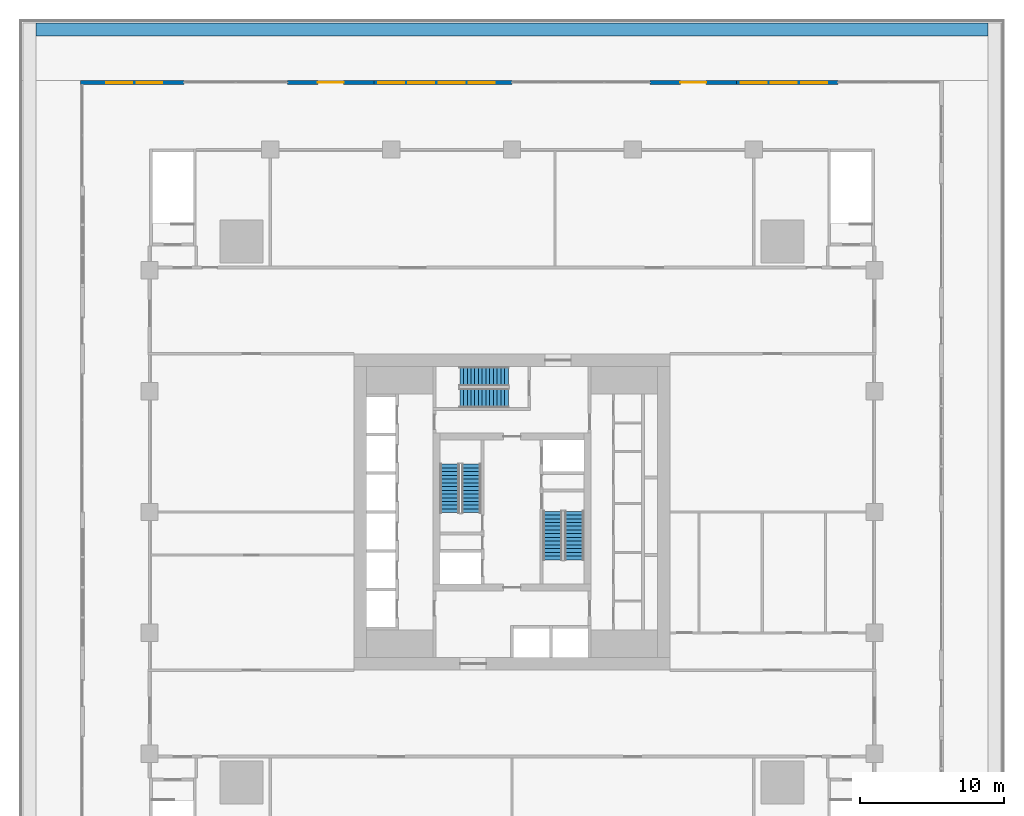
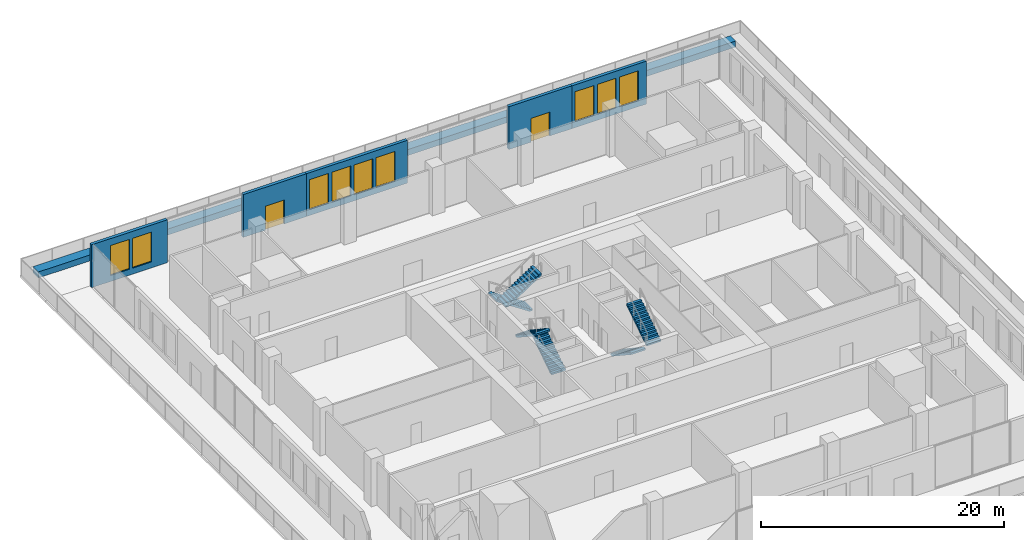
# One storey, part 17 of 22: 9 windows, 6 stair flights, 6 walls, 2 doors, 11 openings, 3 elements without a shape of their own.
"""IFC4 building model written with IfcOpenShell, lengths in metres."""

from ifc_helpers import new_model, si_unit, direction, frame, frame_2d, origin, place, context, subcontext, project, spatial, polyline, rectangle, outline, extrude, material, layer, layer_set, type_object, element, fill, aggregate, save


model = new_model("IFC4")

# Units and contexts
model_context = context("Model", 3, precision=1e-05, world=origin(), true_north=direction((0.0, 1.0)))
body_context = subcontext(model_context, "Body", "Model", "MODEL_VIEW")
ifc_project = project(units=[si_unit("LENGTHUNIT", "METRE"), si_unit("AREAUNIT", "SQUARE_METRE"), si_unit("VOLUMEUNIT", "CUBIC_METRE"), si_unit("PLANEANGLEUNIT", "RADIAN"), si_unit("MASSUNIT", "GRAM", prefix="KILO")], contexts=[model_context])

# Site, building, storey
site_placement = place(None, origin())
site = spatial("IfcSite", under=ifc_project, at=site_placement, CompositionType="ELEMENT")
building_placement = place(site_placement, origin())
building = spatial("IfcBuilding", under=site, at=building_placement, Name="Khepri Terraces", CompositionType="ELEMENT")
storey_placement = place(building_placement, frame((0.0, 0.0, 22.199951171875)))
storey = spatial("IfcBuildingStorey", under=building, at=storey_placement, Name="L04", CompositionType="ELEMENT", Elevation=22.199951171875)

# Wall, openings, windows
ifc_material_1 = material(Name="Precast concrete C50/60 warm stone", Category="masonry")
ifc_layer_1 = layer(ifc_material_1, 0.300048828125, Name="Precast concrete C50/60 warm stone", Category="masonry")
ifc_layer_set_1 = layer_set([ifc_layer_1], Name="Precast concrete C50/60 warm stone")
wall_type_1 = type_object("IfcWallType", Name="WL-EXT-PRECAST-300", PredefinedType="STANDARD", material=ifc_layer_set_1)
wall_1_placement = place(storey_placement, frame((22.64990234375, 29.85009765625, 0.0), z_axis=(0.0, 0.0, 1.0), x_axis=(-1.0, 0.0, 0.0)))
wall_1 = element("IfcWall", 1, at=wall_1_placement, inside=storey, type_object=wall_type_1, Name="External wall L04 N", PredefinedType="STANDARD", context=body_context, shape_type="SweptSolid", body=[
    extrude(rectangle(XDim=7.0498046875, YDim=0.300048828125, at=frame_2d((3.52490234375, 0.0))), origin(), (0.0, 0.0, 1.0), 4.300048828125),
])
opening_1_placement = place(wall_1_placement, frame((0.75, 0.0, 0.60009765625)))
opening_1 = element("IfcOpeningElement", 2, at=opening_1_placement, cuts=wall_1, Name="Opening WP1", PredefinedType="OPENING", context=body_context, shape_type="SweptSolid", body=[
    extrude(rectangle(XDim=1.800048828125, YDim=3.0, at=frame_2d((0.89990234375, 1.5))), frame((0.0, 0.16015625, 0.0), z_axis=(0.0, -1.0, 0.0), x_axis=(1.0, 0.0, 0.0)), (0.0, 0.0, 1.0), 0.320068359375),
])
opening_2_placement = place(wall_1_placement, frame((2.85009765625, 0.0, 0.60009765625)))
opening_2 = element("IfcOpeningElement", 3, at=opening_2_placement, cuts=wall_1, Name="Opening WP1", PredefinedType="OPENING", context=body_context, shape_type="SweptSolid", body=[
    extrude(rectangle(XDim=1.800048828125, YDim=3.0, at=frame_2d((0.89990234375, 1.5))), frame((0.0, 0.16015625, 0.0), z_axis=(0.0, -1.0, 0.0), x_axis=(1.0, 0.0, 0.0)), (0.0, 0.0, 1.0), 0.320068359375),
])
opening_3_placement = place(wall_1_placement, frame((4.949951171875, 0.0, 0.60009765625)))
opening_3 = element("IfcOpeningElement", 4, at=opening_3_placement, cuts=wall_1, Name="Opening WP1", PredefinedType="OPENING", context=body_context, shape_type="SweptSolid", body=[
    extrude(rectangle(XDim=1.800048828125, YDim=3.0, at=frame_2d((0.89990234375, 1.5))), frame((0.0, 0.16015625, 0.0), z_axis=(0.0, -1.0, 0.0), x_axis=(1.0, 0.0, 0.0)), (0.0, 0.0, 1.0), 0.320068359375),
])
ifc_material_2 = material(Name="Clear glass", Category="glass")
window_type = type_object("IfcWindowType", Name="WIN-POD-1800x3000", PartitioningType="SINGLE_PANEL", PredefinedType="WINDOW", material=ifc_material_2)
window_1_placement = place(opening_1_placement, origin())
window_1 = element("IfcWindow", 5, at=window_1_placement, inside=storey, type_object=window_type, Name="Window L04 N", OverallHeight=3.0, OverallWidth=1.800048828125, PartitioningType="SINGLE_PANEL", PredefinedType="WINDOW", context=body_context, shape_type="SweptSolid", body=[
    extrude(rectangle(XDim=1.800048828125, YDim=3.0, at=frame_2d((0.89990234375, 1.5))), frame((0.0, 0.030029296875, 0.0), z_axis=(0.0, -1.0, 0.0), x_axis=(1.0, 0.0, 0.0)), (0.0, 0.0, 1.0), 0.06005859375),
])
fill(opening_1, window_1)
window_2_placement = place(opening_2_placement, origin())
window_2 = element("IfcWindow", 6, at=window_2_placement, inside=storey, type_object=window_type, Name="Window L04 N", OverallHeight=3.0, OverallWidth=1.800048828125, PartitioningType="SINGLE_PANEL", PredefinedType="WINDOW", context=body_context, shape_type="SweptSolid", body=[
    extrude(rectangle(XDim=1.800048828125, YDim=3.0, at=frame_2d((0.89990234375, 1.5))), frame((0.0, 0.030029296875, 0.0), z_axis=(0.0, -1.0, 0.0), x_axis=(1.0, 0.0, 0.0)), (0.0, 0.0, 1.0), 0.06005859375),
])
fill(opening_2, window_2)
window_3_placement = place(opening_3_placement, origin())
window_3 = element("IfcWindow", 7, at=window_3_placement, inside=storey, type_object=window_type, Name="Window L04 N", OverallHeight=3.0, OverallWidth=1.800048828125, PartitioningType="SINGLE_PANEL", PredefinedType="WINDOW", context=body_context, shape_type="SweptSolid", body=[
    extrude(rectangle(XDim=1.800048828125, YDim=3.0, at=frame_2d((0.89990234375, 1.5))), frame((0.0, 0.030029296875, 0.0), z_axis=(0.0, -1.0, 0.0), x_axis=(1.0, 0.0, 0.0)), (0.0, 0.0, 1.0), 0.06005859375),
])
fill(opening_3, window_3)

# Wall, opening, door
wall_2_placement = place(storey_placement, frame((15.60009765625, 29.85009765625, 0.0), z_axis=(0.0, 0.0, 1.0), x_axis=(-1.0, 0.0, 0.0)))
wall_2 = element("IfcWall", 8, at=wall_2_placement, inside=storey, type_object=wall_type_1, Name="External wall L04 N", PredefinedType="STANDARD", context=body_context, shape_type="SweptSolid", body=[
    extrude(rectangle(XDim=6.0, YDim=0.300048828125, at=frame_2d((3.0, 0.0))), origin(), (0.0, 0.0, 1.0), 4.300048828125),
])
opening_4_placement = place(wall_2_placement, frame((2.10009765625, 0.0, 0.0)))
opening_4 = element("IfcOpeningElement", 9, at=opening_4_placement, cuts=wall_2, Name="Opening ED-L04-05", PredefinedType="OPENING", context=body_context, shape_type="SweptSolid", body=[
    extrude(rectangle(XDim=1.800048828125, YDim=2.39990234375, at=frame_2d((0.89990234375, 1.199951171875))), frame((0.0, 0.16015625, 0.0), z_axis=(0.0, -1.0, 0.0), x_axis=(1.0, 0.0, 0.0)), (0.0, 0.0, 1.0), 0.320068359375),
])
ifc_material_3 = material(Name="Anodised aluminium bronze glazed door", Category="aluminium")
door_type = type_object("IfcDoorType", Name="DR-BAL-SLIDE-1800x2400", OperationType="NOTDEFINED", PredefinedType="DOOR", material=ifc_material_3)
door_1_placement = place(opening_4_placement, origin())
door_1 = element("IfcDoor", 10, at=door_1_placement, inside=storey, type_object=door_type, Name="Balcony door L04 N", OperationType="SLIDING_TO_RIGHT", OverallHeight=2.39990234375, OverallWidth=1.800048828125, PredefinedType="DOOR", context=body_context, shape_type="SweptSolid", body=[
    extrude(rectangle(XDim=1.800048828125, YDim=2.39990234375, at=frame_2d((0.89990234375, 1.199951171875))), frame((0.0, 0.02490234375, 0.0), z_axis=(0.0, -1.0, 0.0), x_axis=(1.0, 0.0, 0.0)), (0.0, 0.0, 1.0), 0.050048828125),
])
fill(opening_4, door_1)

# Wall, openings, windows
wall_3_placement = place(storey_placement, frame((0.0, 29.85009765625, 0.0), z_axis=(0.0, 0.0, 1.0), x_axis=(-1.0, 0.0, 0.0)))
wall_3 = element("IfcWall", 11, at=wall_3_placement, inside=storey, type_object=wall_type_1, Name="External wall L04 N", PredefinedType="STANDARD", context=body_context, shape_type="SweptSolid", body=[
    extrude(rectangle(XDim=9.60009765625, YDim=0.300048828125, at=frame_2d((4.800048828125, 0.0))), origin(), (0.0, 0.0, 1.0), 4.300048828125),
])
opening_5_placement = place(wall_3_placement, frame((1.199951171875, 0.0, 0.60009765625)))
opening_5 = element("IfcOpeningElement", 12, at=opening_5_placement, cuts=wall_3, Name="Opening WP1", PredefinedType="OPENING", context=body_context, shape_type="SweptSolid", body=[
    extrude(rectangle(XDim=1.800048828125, YDim=3.0, at=frame_2d((0.89990234375, 1.5))), frame((0.0, 0.16015625, 0.0), z_axis=(0.0, -1.0, 0.0), x_axis=(1.0, 0.0, 0.0)), (0.0, 0.0, 1.0), 0.320068359375),
])
opening_6_placement = place(wall_3_placement, frame((3.300048828125, 0.0, 0.60009765625)))
opening_6 = element("IfcOpeningElement", 13, at=opening_6_placement, cuts=wall_3, Name="Opening WP1", PredefinedType="OPENING", context=body_context, shape_type="SweptSolid", body=[
    extrude(rectangle(XDim=1.800048828125, YDim=3.0, at=frame_2d((0.89990234375, 1.5))), frame((0.0, 0.16015625, 0.0), z_axis=(0.0, -1.0, 0.0), x_axis=(1.0, 0.0, 0.0)), (0.0, 0.0, 1.0), 0.320068359375),
])
opening_7_placement = place(wall_3_placement, frame((5.39990234375, 0.0, 0.60009765625)))
opening_7 = element("IfcOpeningElement", 14, at=opening_7_placement, cuts=wall_3, Name="Opening WP1", PredefinedType="OPENING", context=body_context, shape_type="SweptSolid", body=[
    extrude(rectangle(XDim=1.800048828125, YDim=3.0, at=frame_2d((0.89990234375, 1.5))), frame((0.0, 0.16015625, 0.0), z_axis=(0.0, -1.0, 0.0), x_axis=(1.0, 0.0, 0.0)), (0.0, 0.0, 1.0), 0.320068359375),
])
opening_8_placement = place(wall_3_placement, frame((7.5, 0.0, 0.60009765625)))
opening_8 = element("IfcOpeningElement", 15, at=opening_8_placement, cuts=wall_3, Name="Opening WP1", PredefinedType="OPENING", context=body_context, shape_type="SweptSolid", body=[
    extrude(rectangle(XDim=1.800048828125, YDim=3.0, at=frame_2d((0.89990234375, 1.5))), frame((0.0, 0.16015625, 0.0), z_axis=(0.0, -1.0, 0.0), x_axis=(1.0, 0.0, 0.0)), (0.0, 0.0, 1.0), 0.320068359375),
])
window_4_placement = place(opening_5_placement, origin())
window_4 = element("IfcWindow", 16, at=window_4_placement, inside=storey, type_object=window_type, Name="Window L04 N", OverallHeight=3.0, OverallWidth=1.800048828125, PartitioningType="SINGLE_PANEL", PredefinedType="WINDOW", context=body_context, shape_type="SweptSolid", body=[
    extrude(rectangle(XDim=1.800048828125, YDim=3.0, at=frame_2d((0.89990234375, 1.5))), frame((0.0, 0.030029296875, 0.0), z_axis=(0.0, -1.0, 0.0), x_axis=(1.0, 0.0, 0.0)), (0.0, 0.0, 1.0), 0.06005859375),
])
fill(opening_5, window_4)
window_5_placement = place(opening_6_placement, origin())
window_5 = element("IfcWindow", 17, at=window_5_placement, inside=storey, type_object=window_type, Name="Window L04 N", OverallHeight=3.0, OverallWidth=1.800048828125, PartitioningType="SINGLE_PANEL", PredefinedType="WINDOW", context=body_context, shape_type="SweptSolid", body=[
    extrude(rectangle(XDim=1.800048828125, YDim=3.0, at=frame_2d((0.89990234375, 1.5))), frame((0.0, 0.030029296875, 0.0), z_axis=(0.0, -1.0, 0.0), x_axis=(1.0, 0.0, 0.0)), (0.0, 0.0, 1.0), 0.06005859375),
])
fill(opening_6, window_5)
window_6_placement = place(opening_7_placement, origin())
window_6 = element("IfcWindow", 18, at=window_6_placement, inside=storey, type_object=window_type, Name="Window L04 N", OverallHeight=3.0, OverallWidth=1.800048828125, PartitioningType="SINGLE_PANEL", PredefinedType="WINDOW", context=body_context, shape_type="SweptSolid", body=[
    extrude(rectangle(XDim=1.800048828125, YDim=3.0, at=frame_2d((0.89990234375, 1.5))), frame((0.0, 0.030029296875, 0.0), z_axis=(0.0, -1.0, 0.0), x_axis=(1.0, 0.0, 0.0)), (0.0, 0.0, 1.0), 0.06005859375),
])
fill(opening_7, window_6)
window_7_placement = place(opening_8_placement, origin())
window_7 = element("IfcWindow", 19, at=window_7_placement, inside=storey, type_object=window_type, Name="Window L04 N", OverallHeight=3.0, OverallWidth=1.800048828125, PartitioningType="SINGLE_PANEL", PredefinedType="WINDOW", context=body_context, shape_type="SweptSolid", body=[
    extrude(rectangle(XDim=1.800048828125, YDim=3.0, at=frame_2d((0.89990234375, 1.5))), frame((0.0, 0.030029296875, 0.0), z_axis=(0.0, -1.0, 0.0), x_axis=(1.0, 0.0, 0.0)), (0.0, 0.0, 1.0), 0.06005859375),
])
fill(opening_8, window_7)

# Wall, opening, door
wall_4_placement = place(storey_placement, frame((-9.60009765625, 29.85009765625, 0.0), z_axis=(0.0, 0.0, 1.0), x_axis=(-1.0, 0.0, 0.0)))
wall_4 = element("IfcWall", 20, at=wall_4_placement, inside=storey, type_object=wall_type_1, Name="External wall L04 N", PredefinedType="STANDARD", context=body_context, shape_type="SweptSolid", body=[
    extrude(rectangle(XDim=6.0, YDim=0.300048828125, at=frame_2d((3.0, 0.0))), origin(), (0.0, 0.0, 1.0), 4.300048828125),
])
opening_9_placement = place(wall_4_placement, frame((2.10009765625, 0.0, 0.0)))
opening_9 = element("IfcOpeningElement", 21, at=opening_9_placement, cuts=wall_4, Name="Opening ED-L04-06", PredefinedType="OPENING", context=body_context, shape_type="SweptSolid", body=[
    extrude(rectangle(XDim=1.800048828125, YDim=2.39990234375, at=frame_2d((0.89990234375, 1.199951171875))), frame((0.0, 0.16015625, 0.0), z_axis=(0.0, -1.0, 0.0), x_axis=(1.0, 0.0, 0.0)), (0.0, 0.0, 1.0), 0.320068359375),
])
door_2_placement = place(opening_9_placement, origin())
door_2 = element("IfcDoor", 22, at=door_2_placement, inside=storey, type_object=door_type, Name="Balcony door L04 N", OperationType="SLIDING_TO_RIGHT", OverallHeight=2.39990234375, OverallWidth=1.800048828125, PredefinedType="DOOR", context=body_context, shape_type="SweptSolid", body=[
    extrude(rectangle(XDim=1.800048828125, YDim=2.39990234375, at=frame_2d((0.89990234375, 1.199951171875))), frame((0.0, 0.02490234375, 0.0), z_axis=(0.0, -1.0, 0.0), x_axis=(1.0, 0.0, 0.0)), (0.0, 0.0, 1.0), 0.050048828125),
])
fill(opening_9, door_2)

# Wall, openings, windows
wall_5_placement = place(storey_placement, frame((-22.800048828125, 29.85009765625, 0.0), z_axis=(0.0, 0.0, 1.0), x_axis=(-1.0, 0.0, 0.0)))
wall_5 = element("IfcWall", 23, at=wall_5_placement, inside=storey, type_object=wall_type_1, Name="External wall L04 N", PredefinedType="STANDARD", context=body_context, shape_type="SweptSolid", body=[
    extrude(rectangle(XDim=7.199951171875, YDim=0.300048828125, at=frame_2d((3.60009765625, 0.0))), origin(), (0.0, 0.0, 1.0), 4.300048828125),
])
opening_10_placement = place(wall_5_placement, frame((1.5, 0.0, 0.60009765625)))
opening_10 = element("IfcOpeningElement", 24, at=opening_10_placement, cuts=wall_5, Name="Opening WP1", PredefinedType="OPENING", context=body_context, shape_type="SweptSolid", body=[
    extrude(rectangle(XDim=1.800048828125, YDim=3.0, at=frame_2d((0.89990234375, 1.5))), frame((0.0, 0.16015625, 0.0), z_axis=(0.0, -1.0, 0.0), x_axis=(1.0, 0.0, 0.0)), (0.0, 0.0, 1.0), 0.320068359375),
])
opening_11_placement = place(wall_5_placement, frame((3.60009765625, 0.0, 0.60009765625)))
opening_11 = element("IfcOpeningElement", 25, at=opening_11_placement, cuts=wall_5, Name="Opening WP1", PredefinedType="OPENING", context=body_context, shape_type="SweptSolid", body=[
    extrude(rectangle(XDim=1.800048828125, YDim=3.0, at=frame_2d((0.89990234375, 1.5))), frame((0.0, 0.16015625, 0.0), z_axis=(0.0, -1.0, 0.0), x_axis=(1.0, 0.0, 0.0)), (0.0, 0.0, 1.0), 0.320068359375),
])
window_8_placement = place(opening_10_placement, origin())
window_8 = element("IfcWindow", 26, at=window_8_placement, inside=storey, type_object=window_type, Name="Window L04 N", OverallHeight=3.0, OverallWidth=1.800048828125, PartitioningType="SINGLE_PANEL", PredefinedType="WINDOW", context=body_context, shape_type="SweptSolid", body=[
    extrude(rectangle(XDim=1.800048828125, YDim=3.0, at=frame_2d((0.89990234375, 1.5))), frame((0.0, 0.030029296875, 0.0), z_axis=(0.0, -1.0, 0.0), x_axis=(1.0, 0.0, 0.0)), (0.0, 0.0, 1.0), 0.06005859375),
])
fill(opening_10, window_8)
window_9_placement = place(opening_11_placement, origin())
window_9 = element("IfcWindow", 27, at=window_9_placement, inside=storey, type_object=window_type, Name="Window L04 N", OverallHeight=3.0, OverallWidth=1.800048828125, PartitioningType="SINGLE_PANEL", PredefinedType="WINDOW", context=body_context, shape_type="SweptSolid", body=[
    extrude(rectangle(XDim=1.800048828125, YDim=3.0, at=frame_2d((0.89990234375, 1.5))), frame((0.0, 0.030029296875, 0.0), z_axis=(0.0, -1.0, 0.0), x_axis=(1.0, 0.0, 0.0)), (0.0, 0.0, 1.0), 0.06005859375),
])
fill(opening_11, window_9)

# Wall
ifc_layer_2 = layer(ifc_material_1, 0.89990234375, Name="Precast concrete C50/60 warm stone", Category="masonry")
ifc_layer_set_2 = layer_set([ifc_layer_2], Name="Precast concrete C50/60 warm stone")
wall_type_2 = type_object("IfcWallType", Name="WL-PLANTER-900", PredefinedType="MOVABLE", material=ifc_layer_set_2)
wall_6_placement = place(storey_placement, frame((-33.10009765625, 33.550048828125, 0.0), z_axis=(0.0, 0.0, 1.0), x_axis=(1.0, 0.0, 0.0)))
element("IfcWall", 28, at=wall_6_placement, inside=storey, type_object=wall_type_2, Name="Planter L04", PredefinedType="MOVABLE", context=body_context, shape_type="SweptSolid", body=[
    extrude(rectangle(XDim=66.2001953125, YDim=0.89990234375, at=frame_2d((33.10009765625, 0.0))), origin(), (0.0, 0.0, 1.0), 0.60009765625),
])

# Stair, stair flights
ifc_material_4 = material(Name="Concrete C40/50", Category="concrete")
stair_type = type_object("IfcStairType", Name="STAIR-RC-28R", PredefinedType="HALF_TURN_STAIR", material=ifc_material_4)
stair_1_placement = place(storey_placement, origin())
stair_1 = element("IfcStair", 29, at=stair_1_placement, inside=storey, type_object=stair_type, Name="L04 Exit Stair ST-1", PredefinedType="HALF_TURN_STAIR")
stair_flight_type = type_object("IfcStairFlightType", Name="SFL-RC-171.4", PredefinedType="STRAIGHT", material=ifc_material_4)
stair_flight_1_placement = place(storey_placement, frame((-2.824951171875, -0.050048828125, 0.0), z_axis=(0.0, 0.0, 1.0), x_axis=(0.0, 1.0, 0.0)))
stair_flight_1 = element("IfcStairFlight", 30, at=stair_flight_1_placement, type_object=stair_flight_type, Name="ST-1 flight 1", NumberOfRisers=14, NumberOfTreads=13, PredefinedType="STRAIGHT", RiserHeight=0.171428571, TreadLength=0.26, context=body_context, shape_type="SweptSolid", body=[
    extrude(outline(polyline([(0.0, 0.0), (0.0, 0.17138671875), (0.260009765625, 0.17138671875), (0.260009765625, 0.3427734375), (0.52001953125, 0.3427734375), (0.52001953125, 0.514404296875), (0.780029296875, 0.514404296875), (0.780029296875, 0.685791015625), (1.0400390625, 0.685791015625), (1.0400390625, 0.857177734375), (1.300048828125, 0.857177734375), (1.300048828125, 1.028564453125), (1.56005859375, 1.028564453125), (1.56005859375, 1.199951171875), (1.820068359375, 1.199951171875), (1.820068359375, 1.371337890625), (2.080078125, 1.371337890625), (2.080078125, 1.54296875), (2.340087890625, 1.54296875), (2.340087890625, 1.71435546875), (2.60009765625, 1.71435546875), (2.60009765625, 1.8857421875), (2.860107421875, 1.8857421875), (2.860107421875, 2.05712890625), (3.1201171875, 2.05712890625), (3.1201171875, 2.228515625), (3.3798828125, 2.228515625), (3.3798828125, 2.39990234375), (3.3798828125, 2.049072265625), (0.272216796875, 0.0), (0.0, 0.0)])), frame((0.0, 0.675048828125, 0.0), z_axis=(0.0, -1.0, 0.0), x_axis=(1.0, 0.0, 0.0)), (0.0, 0.0, 1.0), 1.35009765625),
])
stair_flight_2_placement = place(storey_placement, frame((-4.324951171875, 3.330078125, 2.400146484375), z_axis=(0.0, 0.0, 1.0), x_axis=(0.0, -1.0, 0.0)))
stair_flight_2 = element("IfcStairFlight", 31, at=stair_flight_2_placement, type_object=stair_flight_type, Name="ST-1 flight 2", NumberOfRisers=14, NumberOfTreads=13, PredefinedType="STRAIGHT", RiserHeight=0.171428571, TreadLength=0.26, context=body_context, shape_type="SweptSolid", body=[
    extrude(outline(polyline([(0.0, 0.0), (0.0, 0.17138671875), (0.260009765625, 0.17138671875), (0.260009765625, 0.3427734375), (0.52001953125, 0.3427734375), (0.52001953125, 0.514404296875), (0.780029296875, 0.514404296875), (0.780029296875, 0.685791015625), (1.0400390625, 0.685791015625), (1.0400390625, 0.857177734375), (1.300048828125, 0.857177734375), (1.300048828125, 1.028564453125), (1.56005859375, 1.028564453125), (1.56005859375, 1.199951171875), (1.820068359375, 1.199951171875), (1.820068359375, 1.371337890625), (2.080078125, 1.371337890625), (2.080078125, 1.54296875), (2.340087890625, 1.54296875), (2.340087890625, 1.71435546875), (2.60009765625, 1.71435546875), (2.60009765625, 1.8857421875), (2.860107421875, 1.8857421875), (2.860107421875, 2.05712890625), (3.1201171875, 2.05712890625), (3.1201171875, 2.228515625), (3.3798828125, 2.228515625), (3.3798828125, 2.39990234375), (3.3798828125, 2.049072265625), (0.272216796875, 0.0), (0.0, 0.0)])), frame((0.0, 0.675048828125, 0.0), z_axis=(0.0, -1.0, 0.0), x_axis=(1.0, 0.0, 0.0)), (0.0, 0.0, 1.0), 1.35009765625),
])
aggregate(stair_1, [stair_flight_1, stair_flight_2])

stair_2_placement = place(storey_placement, origin())
stair_2 = element("IfcStair", 32, at=stair_2_placement, inside=storey, type_object=stair_type, Name="L04 Exit Stair ST-2", PredefinedType="HALF_TURN_STAIR")
stair_flight_3_placement = place(storey_placement, frame((2.824951171875, 0.050048828125, 0.0), z_axis=(0.0, 0.0, 1.0), x_axis=(0.0, -1.0, 0.0)))
stair_flight_3 = element("IfcStairFlight", 33, at=stair_flight_3_placement, type_object=stair_flight_type, Name="ST-2 flight 1", NumberOfRisers=14, NumberOfTreads=13, PredefinedType="STRAIGHT", RiserHeight=0.171428571, TreadLength=0.26, context=body_context, shape_type="SweptSolid", body=[
    extrude(outline(polyline([(0.0, 0.0), (0.0, 0.17138671875), (0.260009765625, 0.17138671875), (0.260009765625, 0.3427734375), (0.52001953125, 0.3427734375), (0.52001953125, 0.514404296875), (0.780029296875, 0.514404296875), (0.780029296875, 0.685791015625), (1.0400390625, 0.685791015625), (1.0400390625, 0.857177734375), (1.300048828125, 0.857177734375), (1.300048828125, 1.028564453125), (1.56005859375, 1.028564453125), (1.56005859375, 1.199951171875), (1.820068359375, 1.199951171875), (1.820068359375, 1.371337890625), (2.080078125, 1.371337890625), (2.080078125, 1.54296875), (2.340087890625, 1.54296875), (2.340087890625, 1.71435546875), (2.60009765625, 1.71435546875), (2.60009765625, 1.8857421875), (2.860107421875, 1.8857421875), (2.860107421875, 2.05712890625), (3.1201171875, 2.05712890625), (3.1201171875, 2.228515625), (3.3798828125, 2.228515625), (3.3798828125, 2.39990234375), (3.3798828125, 2.049072265625), (0.272216796875, 0.0), (0.0, 0.0)])), frame((0.0, 0.675048828125, 0.0), z_axis=(0.0, -1.0, 0.0), x_axis=(1.0, 0.0, 0.0)), (0.0, 0.0, 1.0), 1.35009765625),
])
stair_flight_4_placement = place(storey_placement, frame((4.324951171875, -3.330078125, 2.400146484375), z_axis=(0.0, 0.0, 1.0), x_axis=(0.0, 1.0, 0.0)))
stair_flight_4 = element("IfcStairFlight", 34, at=stair_flight_4_placement, type_object=stair_flight_type, Name="ST-2 flight 2", NumberOfRisers=14, NumberOfTreads=13, PredefinedType="STRAIGHT", RiserHeight=0.171428571, TreadLength=0.26, context=body_context, shape_type="SweptSolid", body=[
    extrude(outline(polyline([(0.0, 0.0), (0.0, 0.17138671875), (0.260009765625, 0.17138671875), (0.260009765625, 0.3427734375), (0.52001953125, 0.3427734375), (0.52001953125, 0.514404296875), (0.780029296875, 0.514404296875), (0.780029296875, 0.685791015625), (1.0400390625, 0.685791015625), (1.0400390625, 0.857177734375), (1.300048828125, 0.857177734375), (1.300048828125, 1.028564453125), (1.56005859375, 1.028564453125), (1.56005859375, 1.199951171875), (1.820068359375, 1.199951171875), (1.820068359375, 1.371337890625), (2.080078125, 1.371337890625), (2.080078125, 1.54296875), (2.340087890625, 1.54296875), (2.340087890625, 1.71435546875), (2.60009765625, 1.71435546875), (2.60009765625, 1.8857421875), (2.860107421875, 1.8857421875), (2.860107421875, 2.05712890625), (3.1201171875, 2.05712890625), (3.1201171875, 2.228515625), (3.3798828125, 2.228515625), (3.3798828125, 2.39990234375), (3.3798828125, 2.049072265625), (0.272216796875, 0.0), (0.0, 0.0)])), frame((0.0, 0.675048828125, 0.0), z_axis=(0.0, -1.0, 0.0), x_axis=(1.0, 0.0, 0.0)), (0.0, 0.0, 1.0), 1.35009765625),
])
aggregate(stair_2, [stair_flight_3, stair_flight_4])

stair_3_placement = place(storey_placement, origin())
stair_3 = element("IfcStair", 35, at=stair_3_placement, inside=storey, type_object=stair_type, Name="L04 Exit Stair ST-3", PredefinedType="HALF_TURN_STAIR")
stair_flight_5_placement = place(storey_placement, frame((-0.25, 9.425048828125, 0.0), z_axis=(0.0, 0.0, 1.0), x_axis=(-1.0, 0.0, 0.0)))
stair_flight_5 = element("IfcStairFlight", 36, at=stair_flight_5_placement, type_object=stair_flight_type, Name="ST-3 flight 1", NumberOfRisers=14, NumberOfTreads=13, PredefinedType="STRAIGHT", RiserHeight=0.171428571, TreadLength=0.26, context=body_context, shape_type="SweptSolid", body=[
    extrude(outline(polyline([(0.0, 0.0), (0.0, 0.17138671875), (0.260009765625, 0.17138671875), (0.260009765625, 0.3427734375), (0.52001953125, 0.3427734375), (0.52001953125, 0.514404296875), (0.780029296875, 0.514404296875), (0.780029296875, 0.685791015625), (1.0400390625, 0.685791015625), (1.0400390625, 0.857177734375), (1.300048828125, 0.857177734375), (1.300048828125, 1.028564453125), (1.56005859375, 1.028564453125), (1.56005859375, 1.199951171875), (1.820068359375, 1.199951171875), (1.820068359375, 1.371337890625), (2.080078125, 1.371337890625), (2.080078125, 1.54296875), (2.340087890625, 1.54296875), (2.340087890625, 1.71435546875), (2.60009765625, 1.71435546875), (2.60009765625, 1.8857421875), (2.860107421875, 1.8857421875), (2.860107421875, 2.05712890625), (3.1201171875, 2.05712890625), (3.1201171875, 2.228515625), (3.3798828125, 2.228515625), (3.3798828125, 2.39990234375), (3.3798828125, 2.049072265625), (0.272216796875, 0.0), (0.0, 0.0)])), frame((0.0, 0.675048828125, 0.0), z_axis=(0.0, -1.0, 0.0), x_axis=(1.0, 0.0, 0.0)), (0.0, 0.0, 1.0), 1.35009765625),
])
stair_flight_6_placement = place(storey_placement, frame((-3.6298828125, 7.925048828125, 2.400146484375), z_axis=(0.0, 0.0, 1.0), x_axis=(1.0, 0.0, 0.0)))
stair_flight_6 = element("IfcStairFlight", 37, at=stair_flight_6_placement, type_object=stair_flight_type, Name="ST-3 flight 2", NumberOfRisers=14, NumberOfTreads=13, PredefinedType="STRAIGHT", RiserHeight=0.171428571, TreadLength=0.26, context=body_context, shape_type="SweptSolid", body=[
    extrude(outline(polyline([(0.0, 0.0), (0.0, 0.17138671875), (0.260009765625, 0.17138671875), (0.260009765625, 0.3427734375), (0.52001953125, 0.3427734375), (0.52001953125, 0.514404296875), (0.780029296875, 0.514404296875), (0.780029296875, 0.685791015625), (1.0400390625, 0.685791015625), (1.0400390625, 0.857177734375), (1.300048828125, 0.857177734375), (1.300048828125, 1.028564453125), (1.56005859375, 1.028564453125), (1.56005859375, 1.199951171875), (1.820068359375, 1.199951171875), (1.820068359375, 1.371337890625), (2.080078125, 1.371337890625), (2.080078125, 1.54296875), (2.340087890625, 1.54296875), (2.340087890625, 1.71435546875), (2.60009765625, 1.71435546875), (2.60009765625, 1.8857421875), (2.860107421875, 1.8857421875), (2.860107421875, 2.05712890625), (3.1201171875, 2.05712890625), (3.1201171875, 2.228515625), (3.3798828125, 2.228515625), (3.3798828125, 2.39990234375), (3.3798828125, 2.049072265625), (0.272216796875, 0.0), (0.0, 0.0)])), frame((0.0, 0.675048828125, 0.0), z_axis=(0.0, -1.0, 0.0), x_axis=(1.0, 0.0, 0.0)), (0.0, 0.0, 1.0), 1.35009765625),
])
aggregate(stair_3, [stair_flight_5, stair_flight_6])

save(model, "model.ifc")
